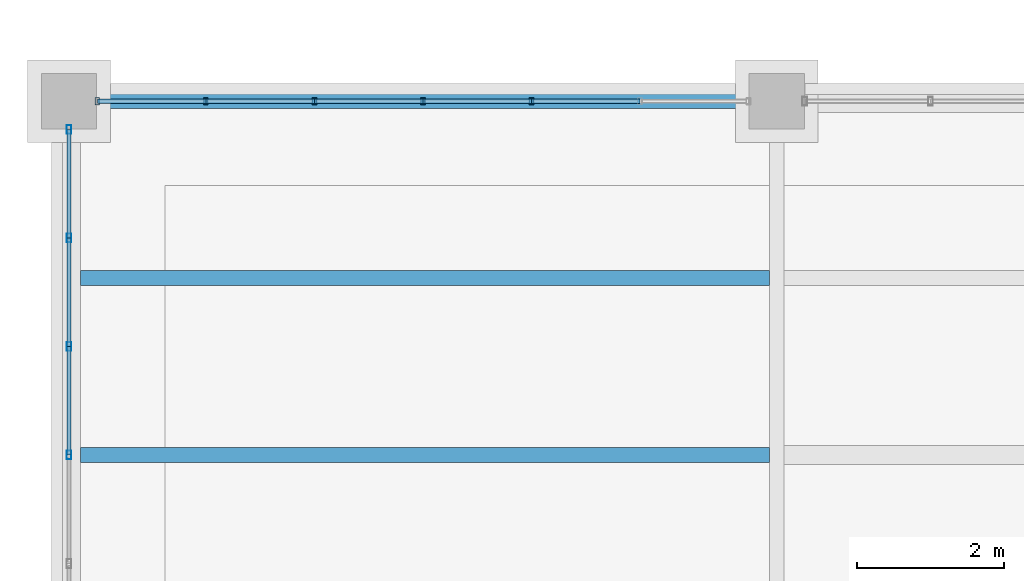
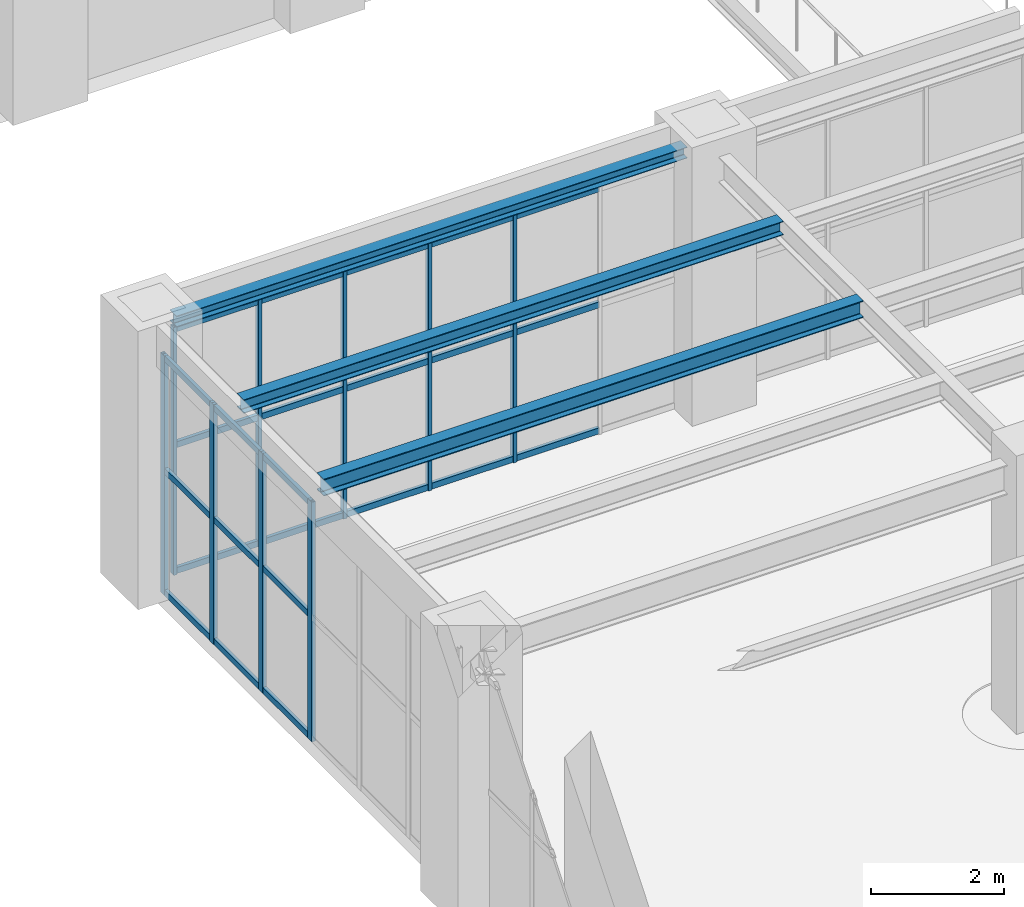
# One storey, part 16 of 174: 33 members, 3 beams, 2 elements without a shape of their own.
"""IFC4 building model written with IfcOpenShell, lengths in metres."""

from ifc_helpers import new_model, si_unit, direction, frame, origin, origin_2d, place, context, subcontext, project, spatial, hollow_rectangle, i_section, extrude, material, material_profile, profile_set, type_object, element, aggregate, save


model = new_model("IFC4")

# Units and contexts
model_context = context("Model", 3, precision=1e-05, world=origin(), true_north=direction((0.0, 1.0)))
body_context = subcontext(model_context, "Body", "Model", "MODEL_VIEW")
ifc_project = project(units=[si_unit("LENGTHUNIT", "METRE"), si_unit("AREAUNIT", "SQUARE_METRE"), si_unit("VOLUMEUNIT", "CUBIC_METRE"), si_unit("PLANEANGLEUNIT", "RADIAN"), si_unit("MASSUNIT", "GRAM", prefix="KILO")], contexts=[model_context])

# Site, building, storey
site_placement = place(None, origin())
site = spatial("IfcSite", under=ifc_project, at=site_placement, CompositionType="ELEMENT")
building_placement = place(site_placement, origin())
building = spatial("IfcBuilding", under=site, at=building_placement, Name="Mavantir Sound Aquarium", CompositionType="ELEMENT")
storey_placement = place(building_placement, frame((0.0, 0.0, 5.39990234375)))
storey = spatial("IfcBuildingStorey", under=building, at=storey_placement, Name="L01", CompositionType="ELEMENT", Elevation=5.39990234375)

# Beams
ifc_material_1 = material(Name="Structural Steel ASTM A992 Gr50", Category="steel")
ifc_material_profile_1 = material_profile(ifc_material_1, i_section(OverallWidth=0.202880859375, OverallDepth=0.202880859375, WebThickness=0.007080078125, FlangeThickness=0.010986328125, FilletRadius=0.010009765625, at=origin_2d()), Name="W200X46")
ifc_profile_set_1 = profile_set([ifc_material_profile_1], Name="Structural Steel ASTM A992 Gr50")
beam_type_1 = type_object("IfcBeamType", Name="BM-W200X46-E", PredefinedType="LINTEL", material=ifc_profile_set_1)
beam_1_placement = place(storey_placement, frame((0.375, 28.800048828125, 4.674560546875), z_axis=(1.0, 0.0, 0.0), x_axis=(0.0, 1.0, 0.0)))
element("IfcBeam", 1, at=beam_1_placement, inside=storey, type_object=beam_type_1, Name="L01 primary beam SL-20 1218", PredefinedType="LINTEL", context=body_context, shape_type="SweptSolid", body=[
    extrude(i_section(OverallWidth=0.202880859375, OverallDepth=0.202880859375, WebThickness=0.007080078125, FlangeThickness=0.010986328125, FilletRadius=0.010009765625, at=origin_2d()), origin(), (0.0, 0.0, 1.0), 8.85009765625),
])
ifc_material_profile_2 = material_profile(ifc_material_1, i_section(OverallWidth=0.202880859375, OverallDepth=0.251953125, WebThickness=0.008056640625, FlangeThickness=0.013427734375, FilletRadius=0.011962890625, at=origin_2d()), Name="W250X58")
ifc_profile_set_2 = profile_set([ifc_material_profile_2], Name="Structural Steel ASTM A992 Gr50")
beam_type_2 = type_object("IfcBeamType", Name="BM-W250X58-I", PredefinedType="JOIST", material=ifc_profile_set_2)
beam_2_placement = place(storey_placement, frame((0.152587890625, 26.39990234375, 4.650146484375), z_axis=(1.0, 0.0, 0.0), x_axis=(0.0, 1.0, 0.0)))
element("IfcBeam", 2, at=beam_2_placement, inside=storey, type_object=beam_type_2, Name="L01 secondary floor joist SJ-25 712", PredefinedType="JOIST", context=body_context, shape_type="SweptSolid", body=[
    extrude(i_section(OverallWidth=0.202880859375, OverallDepth=0.251953125, WebThickness=0.008056640625, FlangeThickness=0.013427734375, FilletRadius=0.011962890625, at=origin_2d()), origin(), (0.0, 0.0, 1.0), 9.350341796875),
])
ifc_material_profile_3 = material_profile(ifc_material_1, i_section(OverallWidth=0.205078125, OverallDepth=0.31005859375, WebThickness=0.009521484375, FlangeThickness=0.016357421875, FilletRadius=0.012939453125, at=origin_2d()), Name="W310X74")
ifc_profile_set_3 = profile_set([ifc_material_profile_3], Name="Structural Steel ASTM A992 Gr50")
beam_type_3 = type_object("IfcBeamType", Name="BM-W310X74-I", PredefinedType="JOIST", material=ifc_profile_set_3)
beam_3_placement = place(storey_placement, frame((0.152587890625, 24.0, 4.62109375), z_axis=(1.0, 0.0, 0.0), x_axis=(0.0, 1.0, 0.0)))
element("IfcBeam", 3, at=beam_3_placement, inside=storey, type_object=beam_type_3, Name="L01 secondary floor joist SJ-31 711", PredefinedType="JOIST", context=body_context, shape_type="SweptSolid", body=[
    extrude(i_section(OverallWidth=0.205078125, OverallDepth=0.31005859375, WebThickness=0.009521484375, FlangeThickness=0.016357421875, FilletRadius=0.012939453125, at=origin_2d()), origin(), (0.0, 0.0, 1.0), 9.350341796875),
])

# Curtain wall, members
ifc_material_2 = material(Name="Anodised Marine Aluminium and Low-E Glass", Category="aluminium")
curtain_wall_type_1 = type_object("IfcCurtainWallType", Name="CW-T01", PredefinedType="USERDEFINED", material=ifc_material_2)
curtain_wall_1_placement = place(storey_placement, origin())
curtain_wall_1 = element("IfcCurtainWall", 4, at=curtain_wall_1_placement, inside=storey, type_object=curtain_wall_type_1, Name="L01 unitised curtain wall CW-01 73", ObjectType="UNITISED GLAZING", PredefinedType="USERDEFINED")
ifc_material_3 = material(Name="Anodised Marine Aluminium 6063-T6", Category="aluminium")
ifc_material_profile_4 = material_profile(ifc_material_3, hollow_rectangle(XDim=0.06005859375, YDim=0.10009765625, WallThickness=0.00390625, at=origin_2d()), Name="ALU-MULLION-100X60")
ifc_profile_set_4 = profile_set([ifc_material_profile_4], Name="Anodised Marine Aluminium 6063-T6")
member_type_1 = type_object("IfcMemberType", Name="CW-MUL-100", PredefinedType="MULLION", material=ifc_profile_set_4)
member_1_placement = place(storey_placement, frame((6.272216796875, 28.800048828125, 0.0), z_axis=(0.0, 0.0, 1.0), x_axis=(1.0, 0.0, 0.0)))
member_1 = element("IfcMember", 5, at=member_1_placement, type_object=member_type_1, Name="CW-L01-073 vertical mullion 3", PredefinedType="MULLION", context=body_context, shape_type="SweptSolid", body=[
    extrude(hollow_rectangle(XDim=0.06005859375, YDim=0.10009765625, WallThickness=0.00390625, at=origin_2d()), origin(), (0.0, 0.0, 1.0), 4.543212890625),
])
member_2_placement = place(storey_placement, frame((4.800048828125, 28.800048828125, 0.0), z_axis=(0.0, 0.0, 1.0), x_axis=(1.0, 0.0, 0.0)))
member_2 = element("IfcMember", 6, at=member_2_placement, type_object=member_type_1, Name="CW-L01-073 vertical mullion 4", PredefinedType="MULLION", context=body_context, shape_type="SweptSolid", body=[
    extrude(hollow_rectangle(XDim=0.06005859375, YDim=0.10009765625, WallThickness=0.00390625, at=origin_2d()), origin(), (0.0, 0.0, 1.0), 4.543212890625),
])
member_3_placement = place(storey_placement, frame((3.32763671875, 28.800048828125, 0.0), z_axis=(0.0, 0.0, 1.0), x_axis=(1.0, 0.0, 0.0)))
member_3 = element("IfcMember", 7, at=member_3_placement, type_object=member_type_1, Name="CW-L01-073 vertical mullion 5", PredefinedType="MULLION", context=body_context, shape_type="SweptSolid", body=[
    extrude(hollow_rectangle(XDim=0.06005859375, YDim=0.10009765625, WallThickness=0.00390625, at=origin_2d()), origin(), (0.0, 0.0, 1.0), 4.543212890625),
])
member_4_placement = place(storey_placement, frame((1.855224609375, 28.800048828125, 0.0), z_axis=(0.0, 0.0, 1.0), x_axis=(1.0, 0.0, 0.0)))
member_4 = element("IfcMember", 8, at=member_4_placement, type_object=member_type_1, Name="CW-L01-073 vertical mullion 6", PredefinedType="MULLION", context=body_context, shape_type="SweptSolid", body=[
    extrude(hollow_rectangle(XDim=0.06005859375, YDim=0.10009765625, WallThickness=0.00390625, at=origin_2d()), origin(), (0.0, 0.0, 1.0), 4.543212890625),
])
member_5_placement = place(storey_placement, frame((0.383056640625, 28.800048828125, 0.0), z_axis=(0.0, 0.0, 1.0), x_axis=(1.0, 0.0, 0.0)))
member_5 = element("IfcMember", 9, at=member_5_placement, type_object=member_type_1, Name="CW-L01-073 vertical mullion 7", PredefinedType="MULLION", context=body_context, shape_type="SweptSolid", body=[
    extrude(hollow_rectangle(XDim=0.06005859375, YDim=0.10009765625, WallThickness=0.00390625, at=origin_2d()), origin(), (0.0, 0.0, 1.0), 4.543212890625),
])

curtain_wall_type_2 = type_object("IfcCurtainWallType", Name="CW-T02", PredefinedType="USERDEFINED", material=ifc_material_2)
curtain_wall_2_placement = place(storey_placement, origin())
curtain_wall_2 = element("IfcCurtainWall", 10, at=curtain_wall_2_placement, inside=storey, type_object=curtain_wall_type_2, Name="L01 unitised curtain wall CW-02 74", ObjectType="UNITISED GLAZING", PredefinedType="USERDEFINED")
ifc_material_profile_5 = material_profile(ifc_material_3, hollow_rectangle(XDim=0.06494140625, YDim=0.1201171875, WallThickness=0.00390625, at=origin_2d()), Name="ALU-MULLION-120X65")
ifc_profile_set_5 = profile_set([ifc_material_profile_5], Name="Anodised Marine Aluminium 6063-T6")
member_type_2 = type_object("IfcMemberType", Name="CW-MUL-120", PredefinedType="MULLION", material=ifc_profile_set_5)
member_6_placement = place(storey_placement, frame((0.0, 28.4169921875, 0.0), z_axis=(0.0, 0.0, 1.0), x_axis=(1.0, 0.0, 0.0)))
member_6 = element("IfcMember", 11, at=member_6_placement, type_object=member_type_2, Name="CW-L01-074 vertical mullion 1", PredefinedType="MULLION", context=body_context, shape_type="SweptSolid", body=[
    extrude(hollow_rectangle(XDim=0.06494140625, YDim=0.1201171875, WallThickness=0.00390625, at=origin_2d()), origin(), (0.0, 0.0, 1.0), 4.39306640625),
])
member_7_placement = place(storey_placement, frame((0.0, 26.944580078125, 0.0), z_axis=(0.0, 0.0, 1.0), x_axis=(1.0, 0.0, 0.0)))
member_7 = element("IfcMember", 12, at=member_7_placement, type_object=member_type_2, Name="CW-L01-074 vertical mullion 2", PredefinedType="MULLION", context=body_context, shape_type="SweptSolid", body=[
    extrude(hollow_rectangle(XDim=0.06494140625, YDim=0.1201171875, WallThickness=0.00390625, at=origin_2d()), origin(), (0.0, 0.0, 1.0), 4.39306640625),
])
member_8_placement = place(storey_placement, frame((0.0, 25.472412109375, 0.0), z_axis=(0.0, 0.0, 1.0), x_axis=(1.0, 0.0, 0.0)))
member_8 = element("IfcMember", 13, at=member_8_placement, type_object=member_type_2, Name="CW-L01-074 vertical mullion 3", PredefinedType="MULLION", context=body_context, shape_type="SweptSolid", body=[
    extrude(hollow_rectangle(XDim=0.06494140625, YDim=0.1201171875, WallThickness=0.00390625, at=origin_2d()), origin(), (0.0, 0.0, 1.0), 4.39306640625),
])
member_9_placement = place(storey_placement, frame((0.0, 24.0, 0.0), z_axis=(0.0, 0.0, 1.0), x_axis=(1.0, 0.0, 0.0)))
member_9 = element("IfcMember", 14, at=member_9_placement, type_object=member_type_2, Name="CW-L01-074 vertical mullion 4", PredefinedType="MULLION", context=body_context, shape_type="SweptSolid", body=[
    extrude(hollow_rectangle(XDim=0.06494140625, YDim=0.1201171875, WallThickness=0.00390625, at=origin_2d()), origin(), (0.0, 0.0, 1.0), 4.39306640625),
])

# Member
ifc_material_profile_6 = material_profile(ifc_material_3, hollow_rectangle(XDim=0.06005859375, YDim=0.110107421875, WallThickness=0.00390625, at=origin_2d()), Name="ALU-TRANSOM-110X60")
ifc_profile_set_6 = profile_set([ifc_material_profile_6], Name="Anodised Marine Aluminium 6063-T6")
member_type_3 = type_object("IfcMemberType", Name="CW-TRN-110", PredefinedType="USERDEFINED", material=ifc_profile_set_6)
member_10_placement = place(storey_placement, frame((7.74462890625, 28.800048828125, 0.05517578125), z_axis=(-1.0, 0.0, 0.0), x_axis=(0.0, -1.0, 0.0)))
member_10 = element("IfcMember", 15, at=member_10_placement, type_object=member_type_3, Name="CW-L01-073 transom 2.1", ObjectType="TRANSOM", PredefinedType="USERDEFINED", context=body_context, shape_type="SweptSolid", body=[
    extrude(hollow_rectangle(XDim=0.06005859375, YDim=0.110107421875, WallThickness=0.00390625, at=origin_2d()), origin(), (0.0, 0.0, 1.0), 1.472412109375),
])

member_11_placement = place(storey_placement, frame((7.74462890625, 28.800048828125, 2.362548828125), z_axis=(-1.0, 0.0, 0.0), x_axis=(0.0, -1.0, 0.0)))
member_11 = element("IfcMember", 16, at=member_11_placement, type_object=member_type_3, Name="CW-L01-073 transom 2.2", ObjectType="TRANSOM", PredefinedType="USERDEFINED", context=body_context, shape_type="SweptSolid", body=[
    extrude(hollow_rectangle(XDim=0.06005859375, YDim=0.110107421875, WallThickness=0.00390625, at=origin_2d()), origin(), (0.0, 0.0, 1.0), 1.472412109375),
])

member_12_placement = place(storey_placement, frame((7.74462890625, 28.800048828125, 4.488037109375), z_axis=(-1.0, 0.0, 0.0), x_axis=(0.0, -1.0, 0.0)))
member_12 = element("IfcMember", 17, at=member_12_placement, type_object=member_type_3, Name="CW-L01-073 transom 2.3", ObjectType="TRANSOM", PredefinedType="USERDEFINED", context=body_context, shape_type="SweptSolid", body=[
    extrude(hollow_rectangle(XDim=0.06005859375, YDim=0.110107421875, WallThickness=0.00390625, at=origin_2d()), origin(), (0.0, 0.0, 1.0), 1.472412109375),
])

member_13_placement = place(storey_placement, frame((6.272216796875, 28.800048828125, 0.05517578125), z_axis=(-1.0, 0.0, 0.0), x_axis=(0.0, -1.0, 0.0)))
member_13 = element("IfcMember", 18, at=member_13_placement, type_object=member_type_3, Name="CW-L01-073 transom 3.1", ObjectType="TRANSOM", PredefinedType="USERDEFINED", context=body_context, shape_type="SweptSolid", body=[
    extrude(hollow_rectangle(XDim=0.06005859375, YDim=0.110107421875, WallThickness=0.00390625, at=origin_2d()), origin(), (0.0, 0.0, 1.0), 1.47216796875),
])

member_14_placement = place(storey_placement, frame((6.272216796875, 28.800048828125, 2.362548828125), z_axis=(-1.0, 0.0, 0.0), x_axis=(0.0, -1.0, 0.0)))
member_14 = element("IfcMember", 19, at=member_14_placement, type_object=member_type_3, Name="CW-L01-073 transom 3.2", ObjectType="TRANSOM", PredefinedType="USERDEFINED", context=body_context, shape_type="SweptSolid", body=[
    extrude(hollow_rectangle(XDim=0.06005859375, YDim=0.110107421875, WallThickness=0.00390625, at=origin_2d()), origin(), (0.0, 0.0, 1.0), 1.47216796875),
])

member_15_placement = place(storey_placement, frame((6.272216796875, 28.800048828125, 4.488037109375), z_axis=(-1.0, 0.0, 0.0), x_axis=(0.0, -1.0, 0.0)))
member_15 = element("IfcMember", 20, at=member_15_placement, type_object=member_type_3, Name="CW-L01-073 transom 3.3", ObjectType="TRANSOM", PredefinedType="USERDEFINED", context=body_context, shape_type="SweptSolid", body=[
    extrude(hollow_rectangle(XDim=0.06005859375, YDim=0.110107421875, WallThickness=0.00390625, at=origin_2d()), origin(), (0.0, 0.0, 1.0), 1.47216796875),
])

member_16_placement = place(storey_placement, frame((4.800048828125, 28.800048828125, 0.05517578125), z_axis=(-1.0, 0.0, 0.0), x_axis=(0.0, -1.0, 0.0)))
member_16 = element("IfcMember", 21, at=member_16_placement, type_object=member_type_3, Name="CW-L01-073 transom 4.1", ObjectType="TRANSOM", PredefinedType="USERDEFINED", context=body_context, shape_type="SweptSolid", body=[
    extrude(hollow_rectangle(XDim=0.06005859375, YDim=0.110107421875, WallThickness=0.00390625, at=origin_2d()), origin(), (0.0, 0.0, 1.0), 1.472412109375),
])

member_17_placement = place(storey_placement, frame((4.800048828125, 28.800048828125, 2.362548828125), z_axis=(-1.0, 0.0, 0.0), x_axis=(0.0, -1.0, 0.0)))
member_17 = element("IfcMember", 22, at=member_17_placement, type_object=member_type_3, Name="CW-L01-073 transom 4.2", ObjectType="TRANSOM", PredefinedType="USERDEFINED", context=body_context, shape_type="SweptSolid", body=[
    extrude(hollow_rectangle(XDim=0.06005859375, YDim=0.110107421875, WallThickness=0.00390625, at=origin_2d()), origin(), (0.0, 0.0, 1.0), 1.472412109375),
])

member_18_placement = place(storey_placement, frame((4.800048828125, 28.800048828125, 4.488037109375), z_axis=(-1.0, 0.0, 0.0), x_axis=(0.0, -1.0, 0.0)))
member_18 = element("IfcMember", 23, at=member_18_placement, type_object=member_type_3, Name="CW-L01-073 transom 4.3", ObjectType="TRANSOM", PredefinedType="USERDEFINED", context=body_context, shape_type="SweptSolid", body=[
    extrude(hollow_rectangle(XDim=0.06005859375, YDim=0.110107421875, WallThickness=0.00390625, at=origin_2d()), origin(), (0.0, 0.0, 1.0), 1.472412109375),
])

member_19_placement = place(storey_placement, frame((3.32763671875, 28.800048828125, 0.05517578125), z_axis=(-1.0, 0.0, 0.0), x_axis=(0.0, -1.0, 0.0)))
member_19 = element("IfcMember", 24, at=member_19_placement, type_object=member_type_3, Name="CW-L01-073 transom 5.1", ObjectType="TRANSOM", PredefinedType="USERDEFINED", context=body_context, shape_type="SweptSolid", body=[
    extrude(hollow_rectangle(XDim=0.06005859375, YDim=0.110107421875, WallThickness=0.00390625, at=origin_2d()), origin(), (0.0, 0.0, 1.0), 1.472412109375),
])

member_20_placement = place(storey_placement, frame((3.32763671875, 28.800048828125, 2.362548828125), z_axis=(-1.0, 0.0, 0.0), x_axis=(0.0, -1.0, 0.0)))
member_20 = element("IfcMember", 25, at=member_20_placement, type_object=member_type_3, Name="CW-L01-073 transom 5.2", ObjectType="TRANSOM", PredefinedType="USERDEFINED", context=body_context, shape_type="SweptSolid", body=[
    extrude(hollow_rectangle(XDim=0.06005859375, YDim=0.110107421875, WallThickness=0.00390625, at=origin_2d()), origin(), (0.0, 0.0, 1.0), 1.472412109375),
])

member_21_placement = place(storey_placement, frame((3.32763671875, 28.800048828125, 4.488037109375), z_axis=(-1.0, 0.0, 0.0), x_axis=(0.0, -1.0, 0.0)))
member_21 = element("IfcMember", 26, at=member_21_placement, type_object=member_type_3, Name="CW-L01-073 transom 5.3", ObjectType="TRANSOM", PredefinedType="USERDEFINED", context=body_context, shape_type="SweptSolid", body=[
    extrude(hollow_rectangle(XDim=0.06005859375, YDim=0.110107421875, WallThickness=0.00390625, at=origin_2d()), origin(), (0.0, 0.0, 1.0), 1.472412109375),
])

member_22_placement = place(storey_placement, frame((1.855224609375, 28.800048828125, 0.05517578125), z_axis=(-1.0, 0.0, 0.0), x_axis=(0.0, -1.0, 0.0)))
member_22 = element("IfcMember", 27, at=member_22_placement, type_object=member_type_3, Name="CW-L01-073 transom 6.1", ObjectType="TRANSOM", PredefinedType="USERDEFINED", context=body_context, shape_type="SweptSolid", body=[
    extrude(hollow_rectangle(XDim=0.06005859375, YDim=0.110107421875, WallThickness=0.00390625, at=origin_2d()), origin(), (0.0, 0.0, 1.0), 1.47216796875),
])

member_23_placement = place(storey_placement, frame((1.855224609375, 28.800048828125, 2.362548828125), z_axis=(-1.0, 0.0, 0.0), x_axis=(0.0, -1.0, 0.0)))
member_23 = element("IfcMember", 28, at=member_23_placement, type_object=member_type_3, Name="CW-L01-073 transom 6.2", ObjectType="TRANSOM", PredefinedType="USERDEFINED", context=body_context, shape_type="SweptSolid", body=[
    extrude(hollow_rectangle(XDim=0.06005859375, YDim=0.110107421875, WallThickness=0.00390625, at=origin_2d()), origin(), (0.0, 0.0, 1.0), 1.47216796875),
])

member_24_placement = place(storey_placement, frame((1.855224609375, 28.800048828125, 4.488037109375), z_axis=(-1.0, 0.0, 0.0), x_axis=(0.0, -1.0, 0.0)))
member_24 = element("IfcMember", 29, at=member_24_placement, type_object=member_type_3, Name="CW-L01-073 transom 6.3", ObjectType="TRANSOM", PredefinedType="USERDEFINED", context=body_context, shape_type="SweptSolid", body=[
    extrude(hollow_rectangle(XDim=0.06005859375, YDim=0.110107421875, WallThickness=0.00390625, at=origin_2d()), origin(), (0.0, 0.0, 1.0), 1.47216796875),
])

aggregate(curtain_wall_1, [member_1, member_2, member_3, member_4, member_5, member_10, member_11, member_12, member_13, member_14, member_15, member_16, member_17, member_18, member_19, member_20, member_21, member_22, member_23, member_24])

member_25_placement = place(storey_placement, frame((0.0, 28.4169921875, 0.05517578125), z_axis=(0.0, -1.0, 0.0), x_axis=(1.0, 0.0, 0.0)))
member_25 = element("IfcMember", 30, at=member_25_placement, type_object=member_type_3, Name="CW-L01-074 transom 1.1", ObjectType="TRANSOM", PredefinedType="USERDEFINED", context=body_context, shape_type="SweptSolid", body=[
    extrude(hollow_rectangle(XDim=0.06005859375, YDim=0.110107421875, WallThickness=0.00390625, at=origin_2d()), origin(), (0.0, 0.0, 1.0), 1.472412109375),
])

member_26_placement = place(storey_placement, frame((0.0, 28.4169921875, 2.284423828125), z_axis=(0.0, -1.0, 0.0), x_axis=(1.0, 0.0, 0.0)))
member_26 = element("IfcMember", 31, at=member_26_placement, type_object=member_type_3, Name="CW-L01-074 transom 1.2", ObjectType="TRANSOM", PredefinedType="USERDEFINED", context=body_context, shape_type="SweptSolid", body=[
    extrude(hollow_rectangle(XDim=0.06005859375, YDim=0.110107421875, WallThickness=0.00390625, at=origin_2d()), origin(), (0.0, 0.0, 1.0), 1.472412109375),
])

member_27_placement = place(storey_placement, frame((0.0, 28.4169921875, 4.338134765625), z_axis=(0.0, -1.0, 0.0), x_axis=(1.0, 0.0, 0.0)))
member_27 = element("IfcMember", 32, at=member_27_placement, type_object=member_type_3, Name="CW-L01-074 transom 1.3", ObjectType="TRANSOM", PredefinedType="USERDEFINED", context=body_context, shape_type="SweptSolid", body=[
    extrude(hollow_rectangle(XDim=0.06005859375, YDim=0.110107421875, WallThickness=0.00390625, at=origin_2d()), origin(), (0.0, 0.0, 1.0), 1.472412109375),
])

member_28_placement = place(storey_placement, frame((0.0, 26.944580078125, 0.05517578125), z_axis=(0.0, -1.0, 0.0), x_axis=(1.0, 0.0, 0.0)))
member_28 = element("IfcMember", 33, at=member_28_placement, type_object=member_type_3, Name="CW-L01-074 transom 2.1", ObjectType="TRANSOM", PredefinedType="USERDEFINED", context=body_context, shape_type="SweptSolid", body=[
    extrude(hollow_rectangle(XDim=0.06005859375, YDim=0.110107421875, WallThickness=0.00390625, at=origin_2d()), origin(), (0.0, 0.0, 1.0), 1.47216796875),
])

member_29_placement = place(storey_placement, frame((0.0, 26.944580078125, 2.284423828125), z_axis=(0.0, -1.0, 0.0), x_axis=(1.0, 0.0, 0.0)))
member_29 = element("IfcMember", 34, at=member_29_placement, type_object=member_type_3, Name="CW-L01-074 transom 2.2", ObjectType="TRANSOM", PredefinedType="USERDEFINED", context=body_context, shape_type="SweptSolid", body=[
    extrude(hollow_rectangle(XDim=0.06005859375, YDim=0.110107421875, WallThickness=0.00390625, at=origin_2d()), origin(), (0.0, 0.0, 1.0), 1.47216796875),
])

member_30_placement = place(storey_placement, frame((0.0, 26.944580078125, 4.338134765625), z_axis=(0.0, -1.0, 0.0), x_axis=(1.0, 0.0, 0.0)))
member_30 = element("IfcMember", 35, at=member_30_placement, type_object=member_type_3, Name="CW-L01-074 transom 2.3", ObjectType="TRANSOM", PredefinedType="USERDEFINED", context=body_context, shape_type="SweptSolid", body=[
    extrude(hollow_rectangle(XDim=0.06005859375, YDim=0.110107421875, WallThickness=0.00390625, at=origin_2d()), origin(), (0.0, 0.0, 1.0), 1.47216796875),
])

member_31_placement = place(storey_placement, frame((0.0, 25.472412109375, 0.05517578125), z_axis=(0.0, -1.0, 0.0), x_axis=(1.0, 0.0, 0.0)))
member_31 = element("IfcMember", 36, at=member_31_placement, type_object=member_type_3, Name="CW-L01-074 transom 3.1", ObjectType="TRANSOM", PredefinedType="USERDEFINED", context=body_context, shape_type="SweptSolid", body=[
    extrude(hollow_rectangle(XDim=0.06005859375, YDim=0.110107421875, WallThickness=0.00390625, at=origin_2d()), origin(), (0.0, 0.0, 1.0), 1.472412109375),
])

member_32_placement = place(storey_placement, frame((0.0, 25.472412109375, 2.284423828125), z_axis=(0.0, -1.0, 0.0), x_axis=(1.0, 0.0, 0.0)))
member_32 = element("IfcMember", 37, at=member_32_placement, type_object=member_type_3, Name="CW-L01-074 transom 3.2", ObjectType="TRANSOM", PredefinedType="USERDEFINED", context=body_context, shape_type="SweptSolid", body=[
    extrude(hollow_rectangle(XDim=0.06005859375, YDim=0.110107421875, WallThickness=0.00390625, at=origin_2d()), origin(), (0.0, 0.0, 1.0), 1.472412109375),
])

member_33_placement = place(storey_placement, frame((0.0, 25.472412109375, 4.338134765625), z_axis=(0.0, -1.0, 0.0), x_axis=(1.0, 0.0, 0.0)))
member_33 = element("IfcMember", 38, at=member_33_placement, type_object=member_type_3, Name="CW-L01-074 transom 3.3", ObjectType="TRANSOM", PredefinedType="USERDEFINED", context=body_context, shape_type="SweptSolid", body=[
    extrude(hollow_rectangle(XDim=0.06005859375, YDim=0.110107421875, WallThickness=0.00390625, at=origin_2d()), origin(), (0.0, 0.0, 1.0), 1.472412109375),
])

aggregate(curtain_wall_2, [member_6, member_7, member_8, member_9, member_25, member_26, member_27, member_28, member_29, member_30, member_31, member_32, member_33])

save(model, "model.ifc")
